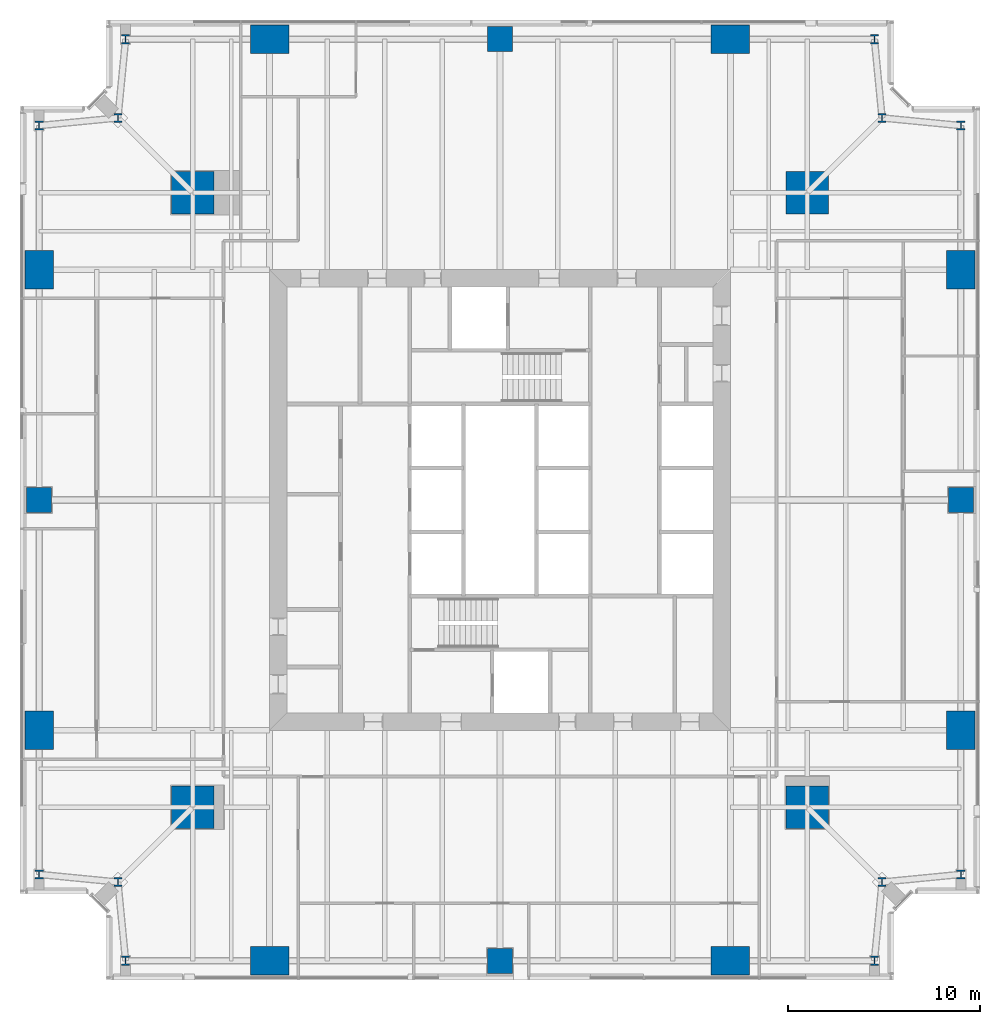
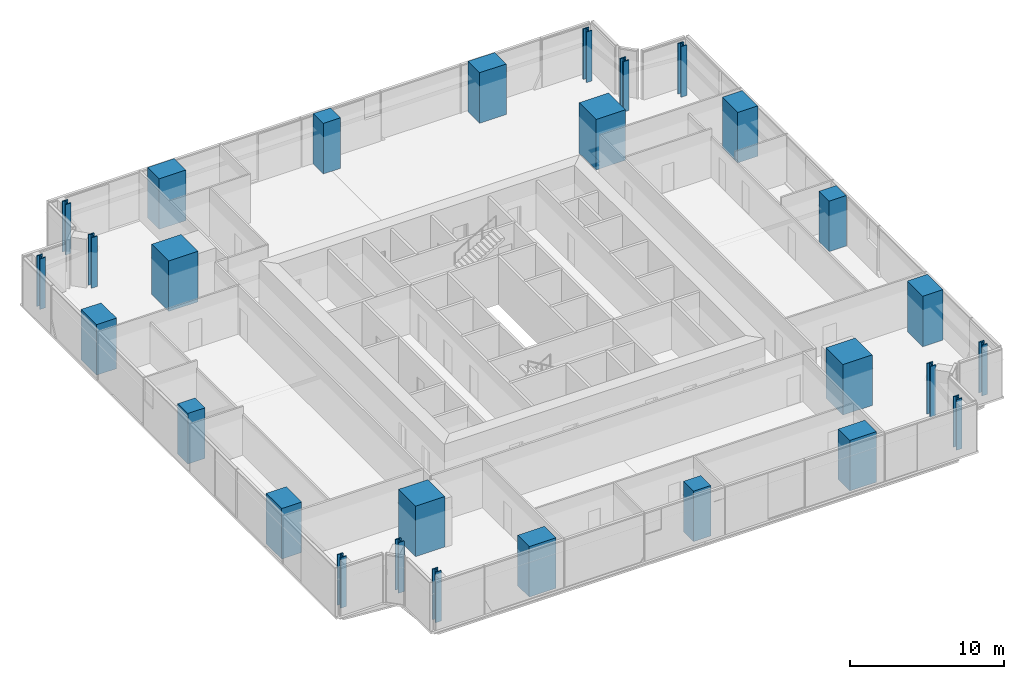
# One storey, part 1 of 13: 28 columns.
"""IFC4 building model written with IfcOpenShell, lengths in metres."""

from ifc_helpers import new_model, si_unit, direction, frame, origin, origin_2d, place, context, subcontext, project, spatial, rectangle, i_section, extrude, material, material_profile, profile_set, type_object, element, save


model = new_model("IFC4")

# Units and contexts
model_context = context("Model", 3, precision=1e-05, world=origin(), true_north=direction((0.0, 1.0)))
body_context = subcontext(model_context, "Body", "Model", "MODEL_VIEW")
ifc_project = project(units=[si_unit("LENGTHUNIT", "METRE"), si_unit("AREAUNIT", "SQUARE_METRE"), si_unit("VOLUMEUNIT", "CUBIC_METRE"), si_unit("PLANEANGLEUNIT", "RADIAN"), si_unit("MASSUNIT", "GRAM", prefix="KILO")], contexts=[model_context])

# Site, building, storey
site_placement = place(None, origin())
site = spatial("IfcSite", under=ifc_project, at=site_placement, CompositionType="ELEMENT")
building_placement = place(site_placement, origin())
building = spatial("IfcBuilding", under=site, at=building_placement, Name="Fenwick Lantern Interchange", CompositionType="ELEMENT")
storey_placement = place(building_placement, frame((0.0, 0.0, 142.39990234375)))
storey = spatial("IfcBuildingStorey", under=building, at=storey_placement, Name="L33", CompositionType="ELEMENT", Elevation=142.39990234375)

# Columns
ifc_material_1 = material(Name="Concrete f'c 70 MPa", Category="concrete")
ifc_material_profile_1 = material_profile(ifc_material_1, rectangle(XDim=2.199951171875, YDim=2.199951171875, at=origin_2d()), Name="RC2200X2200")
ifc_profile_set_1 = profile_set([ifc_material_profile_1], Name="Concrete f'c 70 MPa")
column_type_1 = type_object("IfcColumnType", Name="MEGA COLUMN RC2200X2200", PredefinedType="COLUMN", material=ifc_profile_set_1)
for number, where, z_axis, x_axis, name in (
    (1, (9.0, 9.0, 0.0), (0.0, 0.0, 1.0), (1.0, 0.0, 0.0), "L33/M1"),
    (2, (41.0, 9.0, 0.0), (0.0, 0.0, 1.0), (1.0, 0.0, 0.0), "L33/M2"),
    (3, (41.0, 41.0, 0.0), (0.0, 0.0, 1.0), (1.0, 0.0, 0.0), "L33/M3"),
    (4, (9.0, 41.0, 0.0), (0.0, 0.0, 1.0), (1.0, 0.0, 0.0), "L33/M4"),
):
    element("IfcColumn", number, at=place(storey_placement, frame(where, z_axis=z_axis, x_axis=x_axis)), inside=storey, type_object=column_type_1, Name=name, PredefinedType="COLUMN", context=body_context, shape_type="SweptSolid", body=[
        extrude(rectangle(XDim=2.199951171875, YDim=2.199951171875, at=origin_2d()), origin(), (0.0, 0.0, 1.0), 4.0),
    ])
ifc_material_profile_2 = material_profile(ifc_material_1, rectangle(XDim=1.300048828125, YDim=1.300048828125, at=origin_2d()), Name="RC1300X1300")
ifc_profile_set_2 = profile_set([ifc_material_profile_2], Name="Concrete f'c 70 MPa")
column_type_2 = type_object("IfcColumnType", Name="PERIMETER COLUMN RC1300X1300", PredefinedType="COLUMN", material=ifc_profile_set_2)
for number, where, z_axis, x_axis, name in (
    (5, (25.0, 1.0, 0.0), (0.0, 0.0, 1.0), (1.0, 0.0, 0.0), "L33/CS3"),
    (6, (49.0, 25.0, 0.0), (0.0, 0.0, 1.0), (1.0, 0.0, 0.0), "L33/CE3"),
    (7, (25.0, 49.0, 0.0), (0.0, 0.0, 1.0), (1.0, 0.0, 0.0), "L33/CN3"),
    (8, (1.0, 25.0, 0.0), (0.0, 0.0, 1.0), (1.0, 0.0, 0.0), "L33/CW3"),
):
    element("IfcColumn", number, at=place(storey_placement, frame(where, z_axis=z_axis, x_axis=x_axis)), inside=storey, type_object=column_type_2, Name=name, PredefinedType="COLUMN", context=body_context, shape_type="SweptSolid", body=[
        extrude(rectangle(XDim=1.300048828125, YDim=1.300048828125, at=origin_2d()), origin(), (0.0, 0.0, 1.0), 4.0),
    ])
ifc_material_profile_3 = material_profile(ifc_material_1, rectangle(XDim=1.5, YDim=2.0, at=origin_2d()), Name="RC1500X2000")
ifc_profile_set_3 = profile_set([ifc_material_profile_3], Name="Concrete f'c 70 MPa")
column_type_3 = type_object("IfcColumnType", Name="PERIMETER COLUMN RC1500X2000", PredefinedType="COLUMN", material=ifc_profile_set_3)
for number, where, z_axis, x_axis, name in (
    (9, (49.0, 13.0, 0.0), (0.0, 0.0, 1.0), (1.0, 0.0, 0.0), "L33/CE2"),
    (10, (49.0, 37.0, 0.0), (0.0, 0.0, 1.0), (1.0, 0.0, 0.0), "L33/CE4"),
    (11, (1.0, 37.0, 0.0), (0.0, 0.0, 1.0), (1.0, 0.0, 0.0), "L33/CW2"),
    (12, (1.0, 13.0, 0.0), (0.0, 0.0, 1.0), (1.0, 0.0, 0.0), "L33/CW4"),
):
    element("IfcColumn", number, at=place(storey_placement, frame(where, z_axis=z_axis, x_axis=x_axis)), inside=storey, type_object=column_type_3, Name=name, PredefinedType="COLUMN", context=body_context, shape_type="SweptSolid", body=[
        extrude(rectangle(XDim=1.5, YDim=2.0, at=origin_2d()), origin(), (0.0, 0.0, 1.0), 4.0),
    ])
ifc_material_profile_4 = material_profile(ifc_material_1, rectangle(XDim=2.0, YDim=1.5, at=origin_2d()), Name="RC2000X1500")
ifc_profile_set_4 = profile_set([ifc_material_profile_4], Name="Concrete f'c 70 MPa")
column_type_4 = type_object("IfcColumnType", Name="PERIMETER COLUMN RC2000X1500", PredefinedType="COLUMN", material=ifc_profile_set_4)
for number, where, z_axis, x_axis, name in (
    (13, (13.0, 1.0, 0.0), (0.0, 0.0, 1.0), (1.0, 0.0, 0.0), "L33/CS2"),
    (14, (37.0, 1.0, 0.0), (0.0, 0.0, 1.0), (1.0, 0.0, 0.0), "L33/CS4"),
    (15, (37.0, 49.0, 0.0), (0.0, 0.0, 1.0), (1.0, 0.0, 0.0), "L33/CN2"),
    (16, (13.0, 49.0, 0.0), (0.0, 0.0, 1.0), (1.0, 0.0, 0.0), "L33/CN4"),
):
    element("IfcColumn", number, at=place(storey_placement, frame(where, z_axis=z_axis, x_axis=x_axis)), inside=storey, type_object=column_type_4, Name=name, PredefinedType="COLUMN", context=body_context, shape_type="SweptSolid", body=[
        extrude(rectangle(XDim=2.0, YDim=1.5, at=origin_2d()), origin(), (0.0, 0.0, 1.0), 4.0),
    ])
ifc_material_2 = material(Name="Steel ASTM A992 Grade 50", Category="steel")
ifc_material_profile_5 = material_profile(ifc_material_2, i_section(OverallWidth=0.424072265625, OverallDepth=0.47509765625, WebThickness=0.0478515625, FlangeThickness=0.0771484375, at=origin_2d()), Name="W14X426")
ifc_profile_set_5 = profile_set([ifc_material_profile_5], Name="Steel ASTM A992 Grade 50")
column_type_5 = type_object("IfcColumnType", Name="PERIMETER COLUMN W14X426", PredefinedType="COLUMN", material=ifc_profile_set_5)
for number, where, z_axis, x_axis, name in (
    (17, (5.5, 1.0, 0.0), (0.0, 0.0, 1.0), (1.0, 0.0, 0.0), "L33/CS1"),
    (18, (44.5, 1.0, 0.0), (0.0, 0.0, 1.0), (1.0, 0.0, 0.0), "L33/CS5"),
    (19, (44.89990234375, 5.10009765625, 0.0), (0.0, 0.0, 1.0), (1.0, 0.0, 0.0), "L33/CSR"),
    (20, (49.0, 5.5, 0.0), (0.0, 0.0, 1.0), (1.0, 0.0, 0.0), "L33/CE1"),
    (21, (49.0, 44.5, 0.0), (0.0, 0.0, 1.0), (1.0, 0.0, 0.0), "L33/CE5"),
    (22, (44.89990234375, 44.89990234375, 0.0), (0.0, 0.0, 1.0), (1.0, 0.0, 0.0), "L33/CER"),
    (23, (44.5, 49.0, 0.0), (0.0, 0.0, 1.0), (1.0, 0.0, 0.0), "L33/CN1"),
    (24, (5.5, 49.0, 0.0), (0.0, 0.0, 1.0), (1.0, 0.0, 0.0), "L33/CN5"),
    (25, (5.10009765625, 44.89990234375, 0.0), (0.0, 0.0, 1.0), (1.0, 0.0, 0.0), "L33/CNR"),
    (26, (1.0, 44.5, 0.0), (0.0, 0.0, 1.0), (1.0, 0.0, 0.0), "L33/CW1"),
    (27, (1.0, 5.5, 0.0), (0.0, 0.0, 1.0), (1.0, 0.0, 0.0), "L33/CW5"),
    (28, (5.10009765625, 5.10009765625, 0.0), (0.0, 0.0, 1.0), (1.0, 0.0, 0.0), "L33/CWR"),
):
    element("IfcColumn", number, at=place(storey_placement, frame(where, z_axis=z_axis, x_axis=x_axis)), inside=storey, type_object=column_type_5, Name=name, PredefinedType="COLUMN", context=body_context, shape_type="SweptSolid", body=[
        extrude(i_section(OverallWidth=0.424072265625, OverallDepth=0.47509765625, WebThickness=0.0478515625, FlangeThickness=0.0771484375, at=origin_2d()), origin(), (0.0, 0.0, 1.0), 4.0),
    ])

save(model, "model.ifc")
